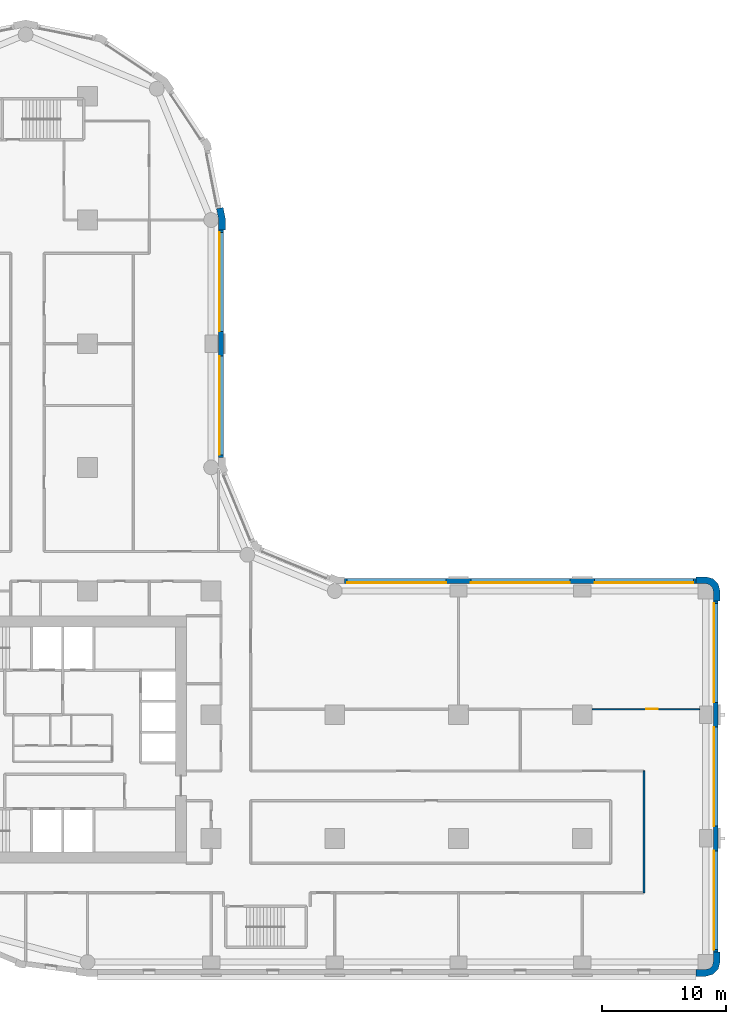
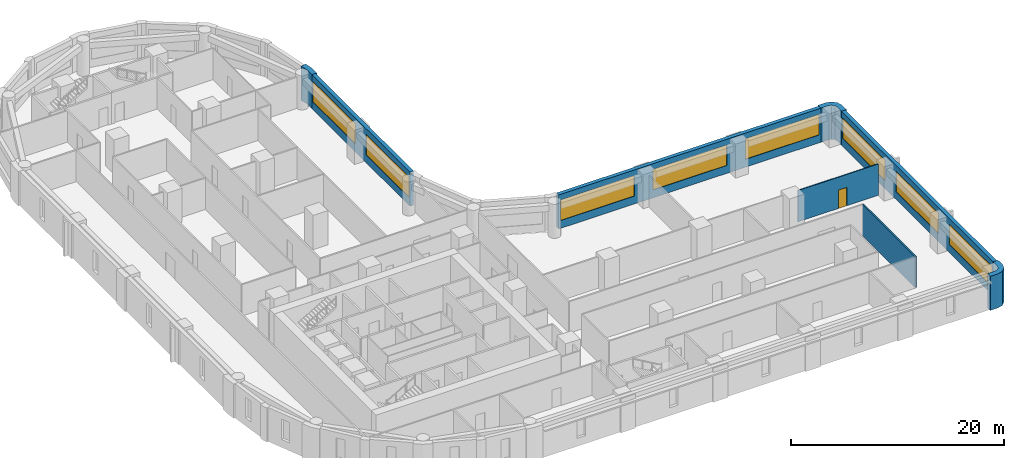
# One storey, part 6 of 10: 8 walls, 8 windows, 1 door, 9 openings.
"""IFC4 building model written with IfcOpenShell, lengths in metres."""

from ifc_helpers import new_model, si_unit, direction, frame, frame_2d, origin, place, context, subcontext, project, spatial, polyline, rectangle, outline, extrude, material, layer, layer_set, type_object, element, fill, save


model = new_model("IFC4")

# Units and contexts
model_context = context("Model", 3, precision=1e-05, world=origin(), true_north=direction((0.0, 1.0)))
body_context = subcontext(model_context, "Body", "Model", "MODEL_VIEW")
ifc_project = project(units=[si_unit("LENGTHUNIT", "METRE"), si_unit("AREAUNIT", "SQUARE_METRE"), si_unit("VOLUMEUNIT", "CUBIC_METRE"), si_unit("PLANEANGLEUNIT", "RADIAN"), si_unit("MASSUNIT", "GRAM", prefix="KILO")], contexts=[model_context])

# Site, building, storey
site_placement = place(None, origin())
site = spatial("IfcSite", under=ifc_project, at=site_placement, CompositionType="ELEMENT")
building_placement = place(site_placement, origin())
building = spatial("IfcBuilding", under=site, at=building_placement, Name="Qaws Garden Tower", CompositionType="ELEMENT")
storey_placement = place(building_placement, frame((0.0, 0.0, 109.5)))
storey = spatial("IfcBuildingStorey", under=building, at=storey_placement, Name="L27", CompositionType="ELEMENT", Elevation=109.5)

# Walls
ifc_material_1 = material(Name="Clay facing brick masonry", Category="masonry")
ifc_layer_1 = layer(ifc_material_1, 0.550048828125)
ifc_layer_set_1 = layer_set([ifc_layer_1], Name="Clay facing brick masonry")
wall_type_1 = type_object("IfcWallType", Name="Brick corner pier 550 x 2400", PredefinedType="SOLIDWALL", material=ifc_layer_set_1)
placement = place(storey_placement, origin())
element("IfcWall", 1, at=placement, inside=storey, type_object=wall_type_1, Name="E-L27-pier-05", PredefinedType="SOLIDWALL", context=body_context, shape_type="SweptSolid", body=[
    extrude(outline(polyline([(69.199951171875, -1.0), (69.199951171875, -1.14990234375), (70.0, -1.14990234375), (70.574951171875, -0.995849609375), (70.995849609375, -0.574951171875), (71.14990234375, 0.0), (71.14990234375, 0.800048828125), (71.0, 0.800048828125), (70.60009765625, 0.800048828125), (70.60009765625, 0.0), (70.51953125, -0.300048828125), (70.300048828125, -0.51953125), (70.0, -0.60009765625), (69.199951171875, -0.60009765625), (69.199951171875, -1.0)])), origin(), (0.0, 0.0, 1.0), 3.89990234375),
])
element("IfcWall", 2, at=placement, inside=storey, type_object=wall_type_1, Name="E-L27-pier-08", PredefinedType="SOLIDWALL", context=body_context, shape_type="SweptSolid", body=[
    extrude(outline(polyline([(71.0, 29.199951171875), (71.14990234375, 29.199951171875), (71.14990234375, 30.0), (70.995849609375, 30.574951171875), (70.574951171875, 30.995849609375), (70.0, 31.14990234375), (69.199951171875, 31.14990234375), (69.199951171875, 31.0), (69.199951171875, 30.60009765625), (70.0, 30.60009765625), (70.300048828125, 30.51953125), (70.51953125, 30.300048828125), (70.60009765625, 30.0), (70.60009765625, 29.199951171875), (71.0, 29.199951171875)])), origin(), (0.0, 0.0, 1.0), 3.89990234375),
])

# Wall, openings, windows
ifc_material_2 = material(Name="Clay facing brick masonry", Category="masonry")
ifc_layer_2 = layer(ifc_material_2, 0.39990234375)
ifc_layer_set_2 = layer_set([ifc_layer_2], Name="Clay facing brick masonry")
wall_type_2 = type_object("IfcWallType", Name="Brick infill wall 400", PredefinedType="SOLIDWALL", material=ifc_layer_set_2)
wall_3_placement = place(storey_placement, frame((70.800048828125, 0.800048828125, 0.0), z_axis=(0.0, 0.0, 1.0), x_axis=(0.0, 1.0, 0.0)))
wall_3 = element("IfcWall", 3, at=wall_3_placement, inside=storey, type_object=wall_type_2, Name="E-L27-infill-05", PredefinedType="SOLIDWALL", context=body_context, shape_type="SweptSolid", body=[
    extrude(rectangle(XDim=28.39990234375, YDim=0.39990234375, at=frame_2d((14.199951171875, 0.0))), origin(), (0.0, 0.0, 1.0), 3.89990234375),
])
opening_1_placement = place(wall_3_placement, frame((0.199951171875, 0.0, 0.89990234375)))
opening_1 = element("IfcOpeningElement", 4, at=opening_1_placement, cuts=wall_3, Name="Opening W01", PredefinedType="OPENING", context=body_context, shape_type="SweptSolid", body=[
    extrude(rectangle(XDim=8.0, YDim=2.35009765625, at=frame_2d((4.0, 1.175048828125))), frame((0.0, 0.2099609375, 0.0), z_axis=(0.0, -1.0, 0.0), x_axis=(1.0, 0.0, 0.0)), (0.0, 0.0, 1.0), 0.419921875),
])
opening_2_placement = place(wall_3_placement, frame((10.199951171875, 0.0, 0.89990234375)))
opening_2 = element("IfcOpeningElement", 5, at=opening_2_placement, cuts=wall_3, Name="Opening W01", PredefinedType="OPENING", context=body_context, shape_type="SweptSolid", body=[
    extrude(rectangle(XDim=8.0, YDim=2.35009765625, at=frame_2d((4.0, 1.175048828125))), frame((0.0, 0.2099609375, 0.0), z_axis=(0.0, -1.0, 0.0), x_axis=(1.0, 0.0, 0.0)), (0.0, 0.0, 1.0), 0.419921875),
])
opening_3_placement = place(wall_3_placement, frame((20.199951171875, 0.0, 0.89990234375)))
opening_3 = element("IfcOpeningElement", 6, at=opening_3_placement, cuts=wall_3, Name="Opening W01", PredefinedType="OPENING", context=body_context, shape_type="SweptSolid", body=[
    extrude(rectangle(XDim=8.0, YDim=2.35009765625, at=frame_2d((4.0, 1.175048828125))), frame((0.0, 0.2099609375, 0.0), z_axis=(0.0, -1.0, 0.0), x_axis=(1.0, 0.0, 0.0)), (0.0, 0.0, 1.0), 0.419921875),
])
ifc_material_3 = material(Name="Aluminium framed window, clear glazing", Category="aluminium")
window_type = type_object("IfcWindowType", Name="Ribbon window 8000 x 2350", PartitioningType="DOUBLE_PANEL_VERTICAL", PredefinedType="WINDOW", material=ifc_material_3)
window_1_placement = place(opening_1_placement, origin())
window_1 = element("IfcWindow", 7, at=window_1_placement, inside=storey, type_object=window_type, Name="E-L27-window-05-0", OverallHeight=2.35009765625, OverallWidth=8.0, PartitioningType="SINGLE_PANEL", PredefinedType="WINDOW", context=body_context, shape_type="SweptSolid", body=[
    extrude(rectangle(XDim=8.0, YDim=2.35009765625, at=frame_2d((4.0, 1.175048828125))), frame((0.0, 0.159912109375, 0.0), z_axis=(0.0, -1.0, 0.0), x_axis=(1.0, 0.0, 0.0)), (0.0, 0.0, 1.0), 0.06005859375),
])
fill(opening_1, window_1)
window_2_placement = place(opening_2_placement, origin())
window_2 = element("IfcWindow", 8, at=window_2_placement, inside=storey, type_object=window_type, Name="E-L27-window-06-0", OverallHeight=2.35009765625, OverallWidth=8.0, PartitioningType="SINGLE_PANEL", PredefinedType="WINDOW", context=body_context, shape_type="SweptSolid", body=[
    extrude(rectangle(XDim=8.0, YDim=2.35009765625, at=frame_2d((4.0, 1.175048828125))), frame((0.0, 0.159912109375, 0.0), z_axis=(0.0, -1.0, 0.0), x_axis=(1.0, 0.0, 0.0)), (0.0, 0.0, 1.0), 0.06005859375),
])
fill(opening_2, window_2)
window_3_placement = place(opening_3_placement, origin())
window_3 = element("IfcWindow", 9, at=window_3_placement, inside=storey, type_object=window_type, Name="E-L27-window-07-0", OverallHeight=2.35009765625, OverallWidth=8.0, PartitioningType="SINGLE_PANEL", PredefinedType="WINDOW", context=body_context, shape_type="SweptSolid", body=[
    extrude(rectangle(XDim=8.0, YDim=2.35009765625, at=frame_2d((4.0, 1.175048828125))), frame((0.0, 0.159912109375, 0.0), z_axis=(0.0, -1.0, 0.0), x_axis=(1.0, 0.0, 0.0)), (0.0, 0.0, 1.0), 0.06005859375),
])
fill(opening_3, window_3)

wall_4_placement = place(storey_placement, frame((69.199951171875, 30.800048828125, 0.0), z_axis=(0.0, 0.0, 1.0), x_axis=(-1.0, 0.0, 0.0)))
wall_4 = element("IfcWall", 10, at=wall_4_placement, inside=storey, type_object=wall_type_2, Name="E-L27-infill-08", PredefinedType="SOLIDWALL", context=body_context, shape_type="SweptSolid", body=[
    extrude(rectangle(XDim=28.39990234375, YDim=0.39990234375, at=frame_2d((14.199951171875, 0.0))), origin(), (0.0, 0.0, 1.0), 3.89990234375),
])
opening_4_placement = place(wall_4_placement, frame((0.199951171875, 0.0, 0.89990234375)))
opening_4 = element("IfcOpeningElement", 11, at=opening_4_placement, cuts=wall_4, Name="Opening W01", PredefinedType="OPENING", context=body_context, shape_type="SweptSolid", body=[
    extrude(rectangle(XDim=8.0, YDim=2.35009765625, at=frame_2d((4.0, 1.175048828125))), frame((0.0, 0.2099609375, 0.0), z_axis=(0.0, -1.0, 0.0), x_axis=(1.0, 0.0, 0.0)), (0.0, 0.0, 1.0), 0.419921875),
])
opening_5_placement = place(wall_4_placement, frame((10.199951171875, 0.0, 0.89990234375)))
opening_5 = element("IfcOpeningElement", 12, at=opening_5_placement, cuts=wall_4, Name="Opening W01", PredefinedType="OPENING", context=body_context, shape_type="SweptSolid", body=[
    extrude(rectangle(XDim=8.0, YDim=2.35009765625, at=frame_2d((4.0, 1.175048828125))), frame((0.0, 0.2099609375, 0.0), z_axis=(0.0, -1.0, 0.0), x_axis=(1.0, 0.0, 0.0)), (0.0, 0.0, 1.0), 0.419921875),
])
opening_6_placement = place(wall_4_placement, frame((20.199951171875, 0.0, 0.89990234375)))
opening_6 = element("IfcOpeningElement", 13, at=opening_6_placement, cuts=wall_4, Name="Opening W01", PredefinedType="OPENING", context=body_context, shape_type="SweptSolid", body=[
    extrude(rectangle(XDim=8.0, YDim=2.35009765625, at=frame_2d((4.0, 1.175048828125))), frame((0.0, 0.2099609375, 0.0), z_axis=(0.0, -1.0, 0.0), x_axis=(1.0, 0.0, 0.0)), (0.0, 0.0, 1.0), 0.419921875),
])
window_4_placement = place(opening_4_placement, origin())
window_4 = element("IfcWindow", 14, at=window_4_placement, inside=storey, type_object=window_type, Name="E-L27-window-08-0", OverallHeight=2.35009765625, OverallWidth=8.0, PartitioningType="SINGLE_PANEL", PredefinedType="WINDOW", context=body_context, shape_type="SweptSolid", body=[
    extrude(rectangle(XDim=8.0, YDim=2.35009765625, at=frame_2d((4.0, 1.175048828125))), frame((0.0, 0.159912109375, 0.0), z_axis=(0.0, -1.0, 0.0), x_axis=(1.0, 0.0, 0.0)), (0.0, 0.0, 1.0), 0.06005859375),
])
fill(opening_4, window_4)
window_5_placement = place(opening_5_placement, origin())
window_5 = element("IfcWindow", 15, at=window_5_placement, inside=storey, type_object=window_type, Name="E-L27-window-09-0", OverallHeight=2.35009765625, OverallWidth=8.0, PartitioningType="SINGLE_PANEL", PredefinedType="WINDOW", context=body_context, shape_type="SweptSolid", body=[
    extrude(rectangle(XDim=8.0, YDim=2.35009765625, at=frame_2d((4.0, 1.175048828125))), frame((0.0, 0.159912109375, 0.0), z_axis=(0.0, -1.0, 0.0), x_axis=(1.0, 0.0, 0.0)), (0.0, 0.0, 1.0), 0.06005859375),
])
fill(opening_5, window_5)
window_6_placement = place(opening_6_placement, origin())
window_6 = element("IfcWindow", 16, at=window_6_placement, inside=storey, type_object=window_type, Name="E-L27-window-10-0", OverallHeight=2.35009765625, OverallWidth=8.0, PartitioningType="SINGLE_PANEL", PredefinedType="WINDOW", context=body_context, shape_type="SweptSolid", body=[
    extrude(rectangle(XDim=8.0, YDim=2.35009765625, at=frame_2d((4.0, 1.175048828125))), frame((0.0, 0.159912109375, 0.0), z_axis=(0.0, -1.0, 0.0), x_axis=(1.0, 0.0, 0.0)), (0.0, 0.0, 1.0), 0.06005859375),
])
fill(opening_6, window_6)

wall_5_placement = place(storey_placement, frame((30.800048828125, 40.800048828125, 0.0), z_axis=(0.0, 0.0, 1.0), x_axis=(0.0, 1.0, 0.0)))
wall_5 = element("IfcWall", 17, at=wall_5_placement, inside=storey, type_object=wall_type_2, Name="E-L27-infill-13", PredefinedType="SOLIDWALL", context=body_context, shape_type="SweptSolid", body=[
    extrude(rectangle(XDim=18.39990234375, YDim=0.39990234375, at=frame_2d((9.199951171875, 0.0))), origin(), (0.0, 0.0, 1.0), 3.89990234375),
])
opening_7_placement = place(wall_5_placement, frame((0.199951171875, 0.0, 0.89990234375)))
opening_7 = element("IfcOpeningElement", 18, at=opening_7_placement, cuts=wall_5, Name="Opening W01", PredefinedType="OPENING", context=body_context, shape_type="SweptSolid", body=[
    extrude(rectangle(XDim=8.0, YDim=2.35009765625, at=frame_2d((4.0, 1.175048828125))), frame((0.0, 0.2099609375, 0.0), z_axis=(0.0, -1.0, 0.0), x_axis=(1.0, 0.0, 0.0)), (0.0, 0.0, 1.0), 0.419921875),
])
opening_8_placement = place(wall_5_placement, frame((10.199951171875, 0.0, 0.89990234375)))
opening_8 = element("IfcOpeningElement", 19, at=opening_8_placement, cuts=wall_5, Name="Opening W01", PredefinedType="OPENING", context=body_context, shape_type="SweptSolid", body=[
    extrude(rectangle(XDim=8.0, YDim=2.35009765625, at=frame_2d((4.0, 1.175048828125))), frame((0.0, 0.2099609375, 0.0), z_axis=(0.0, -1.0, 0.0), x_axis=(1.0, 0.0, 0.0)), (0.0, 0.0, 1.0), 0.419921875),
])
window_7_placement = place(opening_7_placement, origin())
window_7 = element("IfcWindow", 20, at=window_7_placement, inside=storey, type_object=window_type, Name="E-L27-window-13-0", OverallHeight=2.35009765625, OverallWidth=8.0, PartitioningType="SINGLE_PANEL", PredefinedType="WINDOW", context=body_context, shape_type="SweptSolid", body=[
    extrude(rectangle(XDim=8.0, YDim=2.35009765625, at=frame_2d((4.0, 1.175048828125))), frame((0.0, 0.159912109375, 0.0), z_axis=(0.0, -1.0, 0.0), x_axis=(1.0, 0.0, 0.0)), (0.0, 0.0, 1.0), 0.06005859375),
])
fill(opening_7, window_7)
window_8_placement = place(opening_8_placement, origin())
window_8 = element("IfcWindow", 21, at=window_8_placement, inside=storey, type_object=window_type, Name="E-L27-window-14-0", OverallHeight=2.35009765625, OverallWidth=8.0, PartitioningType="SINGLE_PANEL", PredefinedType="WINDOW", context=body_context, shape_type="SweptSolid", body=[
    extrude(rectangle(XDim=8.0, YDim=2.35009765625, at=frame_2d((4.0, 1.175048828125))), frame((0.0, 0.159912109375, 0.0), z_axis=(0.0, -1.0, 0.0), x_axis=(1.0, 0.0, 0.0)), (0.0, 0.0, 1.0), 0.06005859375),
])
fill(opening_8, window_8)

# Wall
ifc_material_4 = material(Name="Clay facing brick masonry", Category="masonry")
ifc_layer_3 = layer(ifc_material_4, 0.550048828125)
ifc_layer_set_3 = layer_set([ifc_layer_3], Name="Clay facing brick masonry")
wall_type_3 = type_object("IfcWallType", Name="Brick pier 550 x 1600", PredefinedType="SOLIDWALL", material=ifc_layer_set_3)
element("IfcWall", 22, at=placement, inside=storey, type_object=wall_type_3, Name="E-L27-pier-15", PredefinedType="SOLIDWALL", context=body_context, shape_type="SweptSolid", body=[
    extrude(outline(polyline([(31.0, 59.199951171875), (31.14990234375, 59.199951171875), (31.14990234375, 60.11328125), (30.971923828125, 61.009033203125), (30.82470703125, 60.979736328125), (30.432373046875, 60.901611328125), (30.60009765625, 60.05908203125), (30.60009765625, 59.199951171875), (31.0, 59.199951171875)])), origin(), (0.0, 0.0, 1.0), 3.89990234375),
])

# Wall, opening, door
ifc_material_5 = material(Name="Gypsum board partition")
ifc_layer_4 = layer(ifc_material_5, 0.10009765625)
ifc_layer_set_4 = layer_set([ifc_layer_4], Name="Gypsum board partition")
wall_type_4 = type_object("IfcWallType", Name="PARTITION 100", PredefinedType="PARTITIONING", material=ifc_layer_set_4)
wall_7_placement = place(storey_placement, frame((60.800048828125, 20.449951171875, 0.0), z_axis=(0.0, 0.0, 1.0), x_axis=(1.0, 0.0, 0.0)))
wall_7 = element("IfcWall", 23, at=wall_7_placement, inside=storey, type_object=wall_type_4, Name="O-L27-wall-003", PredefinedType="PARTITIONING", context=body_context, shape_type="SweptSolid", body=[
    extrude(rectangle(XDim=8.699951171875, YDim=0.10009765625, at=frame_2d((4.35009765625, 0.0))), origin(), (0.0, 0.0, 1.0), 3.580078125),
])
opening_9_placement = place(wall_7_placement, frame((4.39990234375, 0.0, 0.0)))
opening_9 = element("IfcOpeningElement", 24, at=opening_9_placement, cuts=wall_7, Name="Opening A927", PredefinedType="OPENING", context=body_context, shape_type="SweptSolid", body=[
    extrude(rectangle(XDim=0.89990234375, YDim=2.10009765625, at=frame_2d((0.449951171875, 1.050048828125))), frame((0.0, 0.06005859375, 0.0), z_axis=(0.0, -1.0, 0.0), x_axis=(1.0, 0.0, 0.0)), (0.0, 0.0, 1.0), 0.1201171875),
])
ifc_material_6 = material(Name="Timber door leaf", Category="wood")
door_type = type_object("IfcDoorType", Name="OFFICE DOOR 900 X 2100", OperationType="SINGLE_SWING_LEFT", PredefinedType="DOOR", material=ifc_material_6)
door_placement = place(opening_9_placement, frame((0.89990234375, 0.0, 0.0), z_axis=(0.0, 0.0, 1.0), x_axis=(-1.0, 0.0, 0.0)))
door = element("IfcDoor", 25, at=door_placement, inside=storey, type_object=door_type, Name="O-L27-door-027", OperationType="SINGLE_SWING_RIGHT", OverallHeight=2.10009765625, OverallWidth=0.89990234375, PredefinedType="DOOR", context=body_context, shape_type="SweptSolid", body=[
    extrude(rectangle(XDim=0.89990234375, YDim=2.10009765625, at=frame_2d((0.449951171875, 1.050048828125))), frame((0.0, 0.02490234375, 0.0), z_axis=(0.0, -1.0, 0.0), x_axis=(1.0, 0.0, 0.0)), (0.0, 0.0, 1.0), 0.050048828125),
])
fill(opening_9, door)

# Wall
ifc_material_7 = material(Name="Gypsum board partition")
ifc_layer_5 = layer(ifc_material_7, 0.14990234375)
ifc_layer_set_5 = layer_set([ifc_layer_5], Name="Gypsum board partition")
wall_type_5 = type_object("IfcWallType", Name="PARTITION 150 EI 60", PredefinedType="PARTITIONING", material=ifc_layer_set_5)
wall_8_placement = place(storey_placement, frame((65.0, 5.60009765625, 0.0), z_axis=(0.0, 0.0, 1.0), x_axis=(0.0, 1.0, 0.0)))
element("IfcWall", 26, at=wall_8_placement, inside=storey, type_object=wall_type_5, Name="O-L27-wall-035", PredefinedType="PARTITIONING", context=body_context, shape_type="SweptSolid", body=[
    extrude(rectangle(XDim=9.849853515625, YDim=0.14990234375, at=frame_2d((4.9248046875, 0.0))), origin(), (0.0, 0.0, 1.0), 3.580078125),
])

save(model, "model.ifc")
